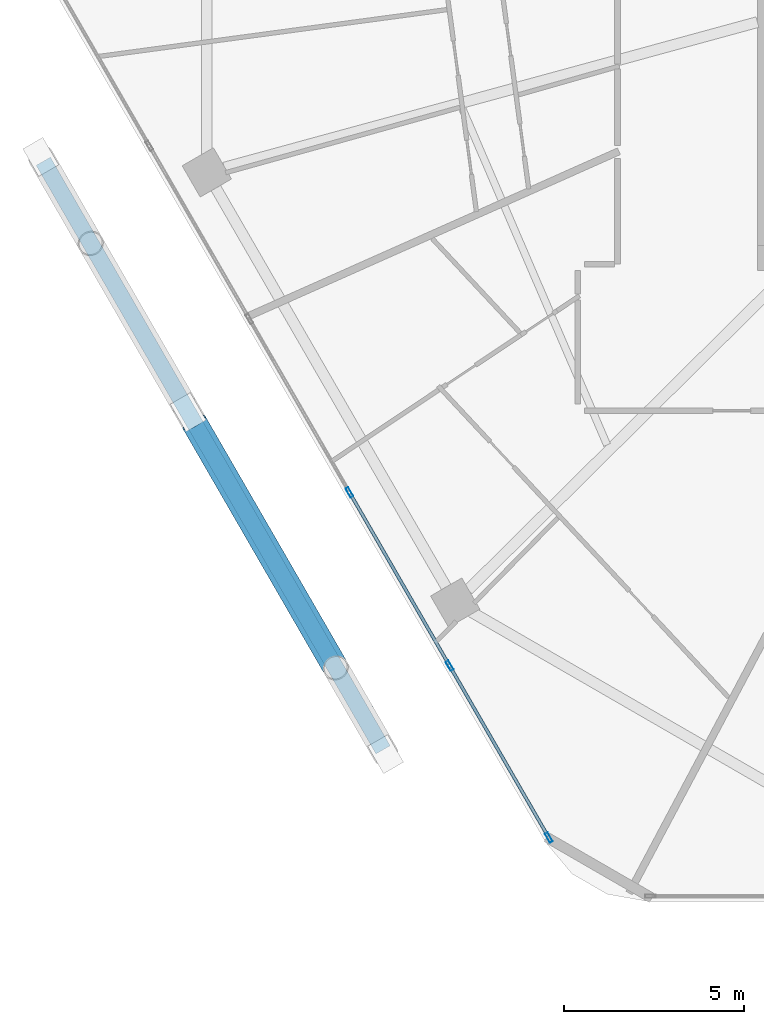
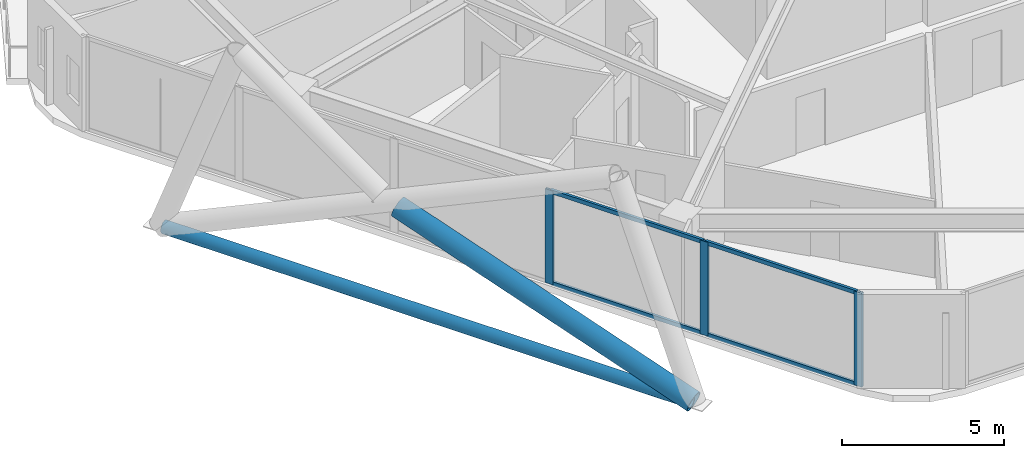
# One storey, part 2 of 30: 9 members, 1 element without a shape of its own.
"""IFC4 building model written with IfcOpenShell, lengths in metres."""

from ifc_helpers import new_model, si_unit, direction, frame, origin, origin_2d, place, context, subcontext, project, spatial, hollow_rectangle, hollow_circle, extrude, material, material_profile, profile_set, type_object, element, aggregate, save


model = new_model("IFC4")

# Units and contexts
model_context = context("Model", 3, precision=1e-05, world=origin(), true_north=direction((0.0, 1.0)))
body_context = subcontext(model_context, "Body", "Model", "MODEL_VIEW")
ifc_project = project(units=[si_unit("LENGTHUNIT", "METRE"), si_unit("AREAUNIT", "SQUARE_METRE"), si_unit("VOLUMEUNIT", "CUBIC_METRE"), si_unit("PLANEANGLEUNIT", "RADIAN"), si_unit("MASSUNIT", "GRAM", prefix="KILO")], contexts=[model_context])

# Site, building, storey
site_placement = place(None, origin())
site = spatial("IfcSite", under=ifc_project, at=site_placement, CompositionType="ELEMENT")
building_placement = place(site_placement, origin())
building = spatial("IfcBuilding", under=site, at=building_placement, Name="Zuhravey Tower", CompositionType="ELEMENT")
storey_placement = place(building_placement, frame((0.0, 0.0, 177.0)))
storey = spatial("IfcBuildingStorey", under=building, at=storey_placement, Name="L44", CompositionType="ELEMENT", Elevation=177.0)

# Curtain wall, members
ifc_material_1 = material(Name="Thermally broken anodised aluminium", Category="aluminium")
curtain_wall_type = type_object("IfcCurtainWallType", Name="Zone 1-2 Residential Curtain Wall CW3", PredefinedType="NOTDEFINED", material=ifc_material_1)
curtain_wall_placement = place(storey_placement, origin())
curtain_wall = element("IfcCurtainWall", 1, at=curtain_wall_placement, inside=storey, type_object=curtain_wall_type, Name="L44 CW3 CW-L44-F4-1", PredefinedType="NOTDEFINED")
ifc_material_2 = material(Name="Anodised aluminium", Category="aluminium")
ifc_material_profile_1 = material_profile(ifc_material_2, hollow_rectangle(XDim=0.090087890625, YDim=0.284912109375, WallThickness=0.0048828125, at=origin_2d()), Name="ALU-RHS-90x285x5")
ifc_profile_set_1 = profile_set([ifc_material_profile_1], Name="Anodised aluminium")
member_type_1 = type_object("IfcMemberType", Name="Curtain-Wall Mullion 90x180", PredefinedType="MULLION", material=ifc_profile_set_1)
member_1_placement = place(storey_placement, frame((19.36669921875, 6.443359375, 0.0), z_axis=(0.0, 0.0, 1.0), x_axis=(-0.866025138215, -0.500000459979, 0.0)))
member_1 = element("IfcMember", 2, at=member_1_placement, type_object=member_type_1, Name="CW3 mullion 1", PredefinedType="MULLION", context=body_context, shape_type="SweptSolid", body=[
    extrude(hollow_rectangle(XDim=0.090087890625, YDim=0.284912109375, WallThickness=0.0048828125, at=origin_2d()), origin(), (0.0, 0.0, 1.0), 3.550048828125),
])
member_2_placement = place(storey_placement, frame((16.6171875, 11.2060546875, 0.0), z_axis=(0.0, 0.0, 1.0), x_axis=(-0.866025138215, -0.500000459979, 0.0)))
member_2 = element("IfcMember", 3, at=member_2_placement, type_object=member_type_1, Name="CW3 mullion 2", PredefinedType="MULLION", context=body_context, shape_type="SweptSolid", body=[
    extrude(hollow_rectangle(XDim=0.090087890625, YDim=0.284912109375, WallThickness=0.0048828125, at=origin_2d()), origin(), (0.0, 0.0, 1.0), 3.550048828125),
])
member_3_placement = place(storey_placement, frame((13.844970703125, 16.007568359375, 0.0), z_axis=(0.0, 0.0, 1.0), x_axis=(-0.866025138215, -0.500000459979, 0.0)))
member_3 = element("IfcMember", 4, at=member_3_placement, type_object=member_type_1, Name="CW3 mullion 3", PredefinedType="MULLION", context=body_context, shape_type="SweptSolid", body=[
    extrude(hollow_rectangle(XDim=0.090087890625, YDim=0.284912109375, WallThickness=0.0048828125, at=origin_2d()), origin(), (0.0, 0.0, 1.0), 3.550048828125),
])
ifc_material_profile_2 = material_profile(ifc_material_2, hollow_rectangle(XDim=0.090087890625, YDim=0.14990234375, WallThickness=0.0048828125, at=origin_2d()), Name="ALU-RHS-90x150x5")
ifc_profile_set_2 = profile_set([ifc_material_profile_2], Name="Anodised aluminium")
member_type_2 = type_object("IfcMemberType", Name="Curtain-Wall Transom 90x150", PredefinedType="USERDEFINED", material=ifc_profile_set_2)
member_4_placement = place(storey_placement, frame((19.34423828125, 6.482421875, 0.044921875), z_axis=(-0.499993332629, 0.866029253159, 0.0), x_axis=(-0.866029253159, -0.499993332629, 0.0)))
member_4 = element("IfcMember", 5, at=member_4_placement, type_object=member_type_2, Name="CW3 transom 1.1", ObjectType="TRANSOM", PredefinedType="USERDEFINED", context=body_context, shape_type="SweptSolid", body=[
    extrude(hollow_rectangle(XDim=0.090087890625, YDim=0.14990234375, WallThickness=0.0048828125, at=origin_2d()), origin(), (0.0, 0.0, 1.0), 5.4091796875),
])
member_5_placement = place(storey_placement, frame((19.34423828125, 6.482421875, 3.5048828125), z_axis=(-0.499993332629, 0.866029253159, 0.0), x_axis=(-0.866029253159, -0.499993332629, 0.0)))
member_5 = element("IfcMember", 6, at=member_5_placement, type_object=member_type_2, Name="CW3 transom 1.2", ObjectType="TRANSOM", PredefinedType="USERDEFINED", context=body_context, shape_type="SweptSolid", body=[
    extrude(hollow_rectangle(XDim=0.090087890625, YDim=0.14990234375, WallThickness=0.0048828125, at=origin_2d()), origin(), (0.0, 0.0, 1.0), 5.4091796875),
])
member_6_placement = place(storey_placement, frame((16.594482421875, 11.244873046875, 0.044921875), z_axis=(-0.49996138257, 0.86604769842, 0.0), x_axis=(-0.86604769842, -0.49996138257, 0.0)))
member_6 = element("IfcMember", 7, at=member_6_placement, type_object=member_type_2, Name="CW3 transom 2.1", ObjectType="TRANSOM", PredefinedType="USERDEFINED", context=body_context, shape_type="SweptSolid", body=[
    extrude(hollow_rectangle(XDim=0.090087890625, YDim=0.14990234375, WallThickness=0.0048828125, at=origin_2d()), origin(), (0.0, 0.0, 1.0), 5.45458984375),
])
member_7_placement = place(storey_placement, frame((16.594482421875, 11.244873046875, 3.5048828125), z_axis=(-0.49996138257, 0.86604769842, 0.0), x_axis=(-0.86604769842, -0.49996138257, 0.0)))
member_7 = element("IfcMember", 8, at=member_7_placement, type_object=member_type_2, Name="CW3 transom 2.2", ObjectType="TRANSOM", PredefinedType="USERDEFINED", context=body_context, shape_type="SweptSolid", body=[
    extrude(hollow_rectangle(XDim=0.090087890625, YDim=0.14990234375, WallThickness=0.0048828125, at=origin_2d()), origin(), (0.0, 0.0, 1.0), 5.45458984375),
])
aggregate(curtain_wall, [member_1, member_2, member_3, member_4, member_5, member_6, member_7])

# Members
ifc_material_3 = material(Name="Steel SM355", Category="steel")
ifc_material_profile_3 = material_profile(ifc_material_3, hollow_circle(Radius=0.228515625, WallThickness=0.02197265625, at=origin_2d()), Name="CHS-457.2x22")
ifc_profile_set_3 = profile_set([ifc_material_profile_3], Name="Steel SM355")
member_type_3 = type_object("IfcMemberType", Name="Exoskeleton Ring Tie CHS457x22", PredefinedType="CHORD", material=ifc_profile_set_3)
member_8_placement = place(storey_placement, frame((5.361083984375, 25.18212890625, -0.464111328125), z_axis=(0.499989194203, -0.866031642424, 0.0), x_axis=(0.866031642424, 0.499989194203, 0.0)))
element("IfcMember", 9, at=member_8_placement, inside=storey, type_object=member_type_3, Name="L44 Exoskeleton Face 4 Tie EXR1", PredefinedType="CHORD", context=body_context, shape_type="SweptSolid", body=[
    extrude(hollow_circle(Radius=0.228515625, WallThickness=0.02197265625, at=origin_2d()), origin(), (0.0, 0.0, 1.0), 18.830078125),
])
ifc_material_4 = material(Name="Steel SM460", Category="steel")
ifc_material_profile_4 = material_profile(ifc_material_4, hollow_circle(Radius=0.355712890625, WallThickness=0.031982421875, at=origin_2d()), Name="CHS-711.2x32")
ifc_profile_set_4 = profile_set([ifc_material_profile_4], Name="Steel SM460")
member_type_4 = type_object("IfcMemberType", Name="Exoskeleton Zone 2 Diagrid CHS711x32", PredefinedType="BRACE", material=ifc_profile_set_4)
member_9_placement = place(storey_placement, frame((14.82373046875, 8.79248046875, -0.448486328125), z_axis=(-0.472345150126, 0.818084346156, 0.32806716039), x_axis=(-0.866014433275, -0.500019000998, 0.0)))
element("IfcMember", 10, at=member_9_placement, inside=storey, type_object=member_type_4, Name="L44 Face 4 Split Diagrid Brace 3A", PredefinedType="BRACE", context=body_context, shape_type="SweptSolid", body=[
    extrude(hollow_circle(Radius=0.355712890625, WallThickness=0.031982421875, at=origin_2d()), origin(), (0.0, 0.0, 1.0), 11.190185546875),
])

save(model, "model.ifc")
